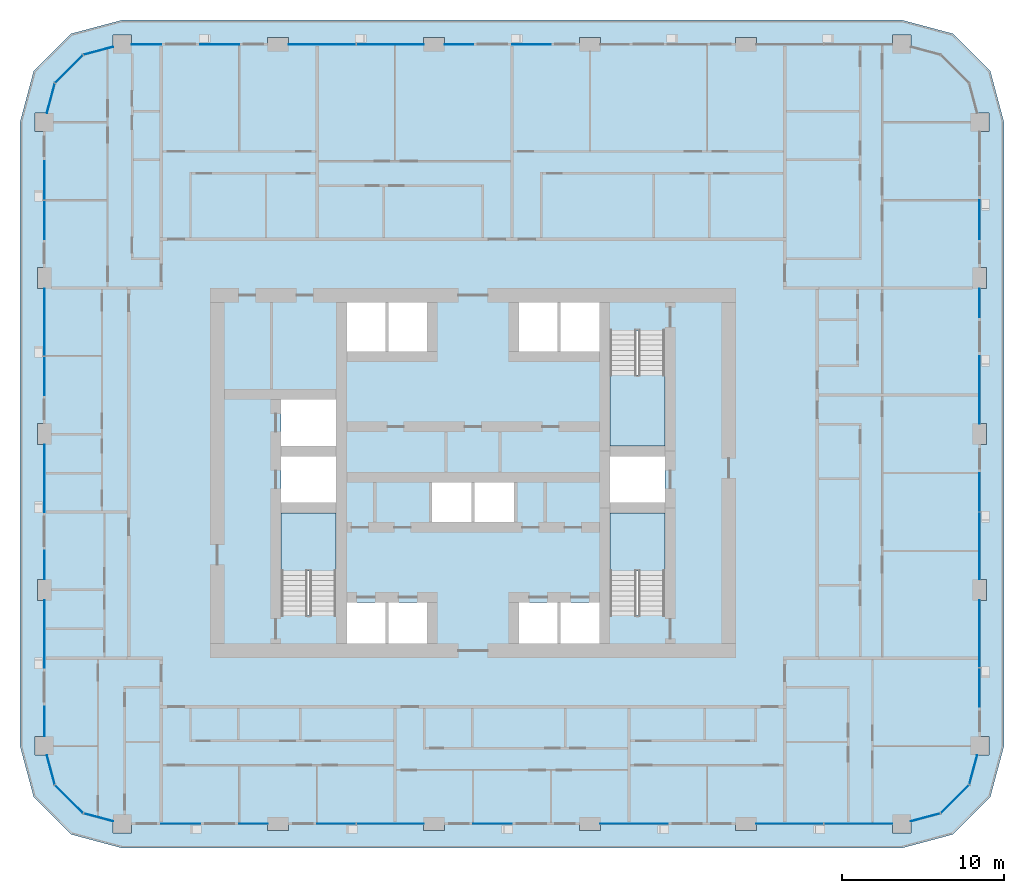
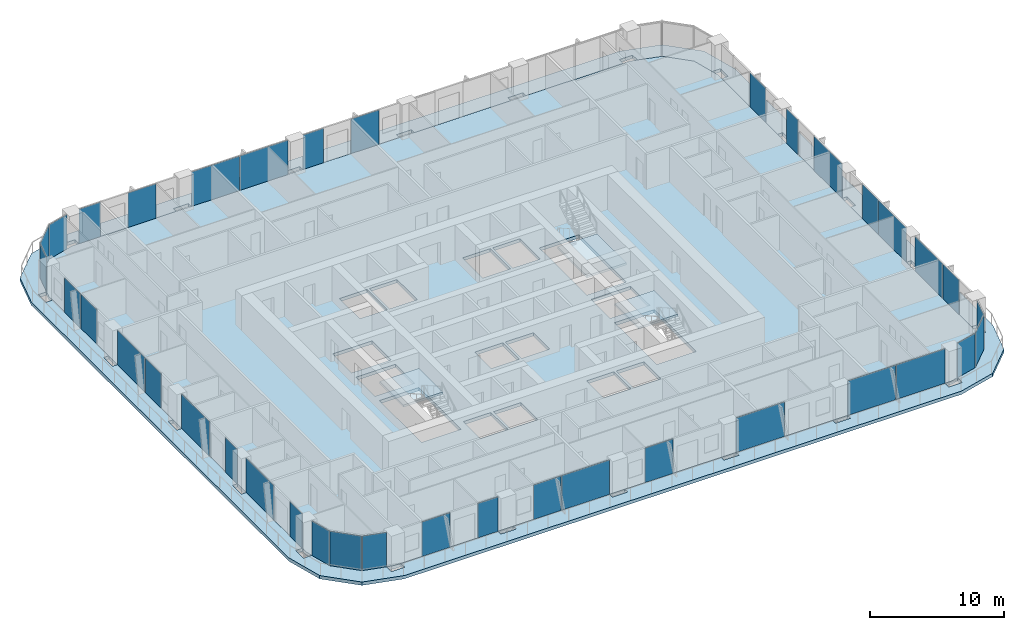
# One storey, part 7 of 22: 38 plates, 5 slabs, 22 elements without a shape of their own.
"""IFC4 building model written with IfcOpenShell, lengths in metres."""

import ifcopenshell
import ifcopenshell.guid

model = None  # the IFC model being written
_history = None  # IfcOwnerHistory: only IFC2X3 demands one
_inside = {}  # id of a spatial element -> (the spatial element, [elements in it])
_under = {}  # id of a project, library or spatial element -> (it, [spatial elements below it])
_declared = {}  # id of a project -> (the project, [libraries it declares])
_typed = {}  # id of a type object -> (the type object, [elements of that type])
_made_of = {}  # id of a material, layer set ... -> (it, [elements and type objects made of it])


def new_model(schema):
    """Start an empty IFC model of exactly this schema.

    Asked for "IFC4X3", IfcOpenShell would pick the latest addendum, in which some entities
    have other attributes; the version numbers below select the first issue.
    IFC2X3 requires an IfcOwnerHistory on every rooted entity: one is made here for all.
    """
    global model, _history
    if schema == "IFC4X3":
        model = ifcopenshell.file(schema_version=(4, 3, 0, 0))
    else:
        model = ifcopenshell.file(schema=schema)
    _inside.clear()
    _under.clear()
    _declared.clear()
    _typed.clear()
    _made_of.clear()
    _history = None
    if model.schema == "IFC2X3":
        org = make("IfcOrganization", Name="unknown")
        user = make(
            "IfcPersonAndOrganization",
            ThePerson=make("IfcPerson", FamilyName="unknown"),
            TheOrganization=org,
        )
        app = make(
            "IfcApplication",
            ApplicationDeveloper=org,
            Version="unknown",
            ApplicationFullName="unknown",
            ApplicationIdentifier="unknown",
        )
        _history = make(
            "IfcOwnerHistory",
            OwningUser=user,
            OwningApplication=app,
            ChangeAction="ADDED",
            CreationDate=0,
        )
    return model


def make(cls, **values):
    """One entity of the class cls with the attributes given. An attribute that is None is left unset."""
    return model.create_entity(
        cls, **{name: value for name, value in values.items() if value is not None}
    )


def rooted(cls, **values):
    """An entity with a GlobalId (a new one), such as an element, a storey or a relation."""
    return make(cls, GlobalId=ifcopenshell.guid.new(), OwnerHistory=_history, **values)


def si_unit(unit_type, name, prefix=None):
    """IfcSIUnit, for example si_unit("LENGTHUNIT", "METRE", prefix="MILLI")."""
    return make("IfcSIUnit", UnitType=unit_type, Prefix=prefix, Name=name)


def assignment(units):
    """IfcUnitAssignment: the units of a project."""
    return None if units is None else make("IfcUnitAssignment", Units=units)


def point(xyz):
    """IfcCartesianPoint."""
    return None if xyz is None else make("IfcCartesianPoint", Coordinates=xyz)


def direction(xyz):
    """IfcDirection."""
    return None if xyz is None else make("IfcDirection", DirectionRatios=xyz)


def frame(location, z_axis=None, x_axis=None):
    """IfcAxis2Placement3D, a coordinate frame: its origin and axes. An axis left out is left unset."""
    return make(
        "IfcAxis2Placement3D",
        Location=point(location),
        Axis=direction(z_axis),
        RefDirection=direction(x_axis),
    )


def frame_2d(location, x_axis=None):
    """IfcAxis2Placement2D, a coordinate frame in the plane: its origin and x axis."""
    return make(
        "IfcAxis2Placement2D", Location=point(location), RefDirection=direction(x_axis)
    )


def origin():
    """The frame at (0, 0, 0) with its axes left unset."""
    return frame((0.0, 0.0, 0.0))


def origin_2d():
    """The frame at (0, 0) in the plane with its x axis left unset."""
    return frame_2d((0.0, 0.0))


def place(relative_to, where):
    """IfcLocalPlacement: puts the frame where relative to a parent placement (None: the world)."""
    return make(
        "IfcLocalPlacement", PlacementRelTo=relative_to, RelativePlacement=where
    )


def context(
    kind, dimensions, precision=None, world=None, true_north=None, identifier=None
):
    """IfcGeometricRepresentationContext, for example the 3D "Model" context."""
    return make(
        "IfcGeometricRepresentationContext",
        ContextIdentifier=identifier,
        ContextType=kind,
        CoordinateSpaceDimension=dimensions,
        Precision=precision,
        WorldCoordinateSystem=world,
        TrueNorth=true_north,
    )


def subcontext(parent, identifier, kind, view, scale=None):
    """IfcGeometricRepresentationSubContext, for example "Body" below "Model"."""
    return make(
        "IfcGeometricRepresentationSubContext",
        ContextIdentifier=identifier,
        ContextType=kind,
        ParentContext=parent,
        TargetScale=scale,
        TargetView=view,
    )


def project(units=None, contexts=None):
    """IfcProject with its units and contexts."""
    return rooted(
        "IfcProject",
        Name="project",
        RepresentationContexts=contexts,
        UnitsInContext=assignment(units),
    )


def spatial(cls, under=None, at=None, **own):
    """A site, building, storey or space (cls), placed at a placement, below another one or the project."""
    s = rooted(cls, ObjectPlacement=at, **own)
    if under is not None:
        _under.setdefault(under.id(), (under, []))[1].append(s)
    return s


def polyline(points):
    """IfcPolyline through the points."""
    return make("IfcPolyline", Points=[point(p) for p in points])


def profile(cls, at=None, kind="AREA", **sizes):
    """A parametric profile (cls). Its sizes go by their IFC names, for example OverallWidth=200.0."""
    return make(cls, ProfileType=kind, Position=at, **sizes)


def rectangle(**sizes):
    """IfcRectangleProfileDef."""
    return profile("IfcRectangleProfileDef", **sizes)


def outline(outer, holes=None, kind="AREA"):
    """IfcArbitraryClosedProfileDef: a profile drawn as a closed curve; with holes, ...WithVoids."""
    if holes is None:
        return make("IfcArbitraryClosedProfileDef", ProfileType=kind, OuterCurve=outer)
    return make(
        "IfcArbitraryProfileDefWithVoids",
        ProfileType=kind,
        OuterCurve=outer,
        InnerCurves=holes,
    )


def extrude(swept, where, along, depth):
    """IfcExtrudedAreaSolid: the profile swept, set in the frame where, extruded along a direction by depth."""
    return make(
        "IfcExtrudedAreaSolid",
        SweptArea=swept,
        Position=where,
        ExtrudedDirection=direction(along),
        Depth=depth,
    )


def shape(context_of_items, identifier, shape_type, items):
    """IfcShapeRepresentation: the items that make up one representation, for example the "Body"."""
    return make(
        "IfcShapeRepresentation",
        ContextOfItems=context_of_items,
        RepresentationIdentifier=identifier,
        RepresentationType=shape_type,
        Items=items,
    )


def material(Name=None, Category=None):
    """IfcMaterial."""
    return make("IfcMaterial", Name=Name, Category=Category)


def layer(
    of_material, thickness, ventilated=None, Name=None, Category=None, Priority=None
):
    """IfcMaterialLayer: one layer of a wall or slab, of a material (None: an air gap)."""
    return make(
        "IfcMaterialLayer",
        Material=of_material,
        LayerThickness=thickness,
        IsVentilated=ventilated,
        Name=Name,
        Category=Category,
        Priority=Priority,
    )


def layer_set(layers, Name=None):
    """IfcMaterialLayerSet."""
    return make("IfcMaterialLayerSet", MaterialLayers=layers, LayerSetName=Name)


def made_of(thing, what):
    """Note that an element or type object is made of a material, layer set ...; save() writes the relation."""
    if what is not None:
        _made_of.setdefault(what.id(), (what, []))[1].append(thing)
    return thing


def type_object(cls, material=None, **own):
    """A type object (cls), such as IfcWallType, which elements share."""
    return made_of(rooted(cls, **own), material)


def element(
    cls,
    number,
    at=None,
    inside=None,
    cuts=None,
    type_object=None,
    material=None,
    context=None,
    identifier="Body",
    shape_type=None,
    held_by="IfcProductDefinitionShape",
    body=None,
    shapes=None,
    **own,
):
    """One element of the class cls, such as IfcWall. Its Tag is "e" and its number.

    at: its placement. inside: the storey or other place that contains it. cuts: it is an
    opening in that element (IfcRelVoidsElement). A single representation is given by context,
    identifier, shape_type and body (its items); several are given by shapes. held_by: the class
    of the entity that holds the representations. save() writes the other relations.
    """
    e = rooted(cls, Tag="e%d" % number, ObjectPlacement=at, **own)
    if body is not None:
        shapes = [shape(context, identifier, shape_type, body)]
    if shapes is not None:
        e.Representation = make(held_by, Representations=shapes)
    if inside is not None:
        _inside.setdefault(inside.id(), (inside, []))[1].append(e)
    if cuts is not None:
        rooted(
            "IfcRelVoidsElement", RelatingBuildingElement=cuts, RelatedOpeningElement=e
        )
    if type_object is not None:
        _typed.setdefault(type_object.id(), (type_object, []))[1].append(e)
    return made_of(e, material)


def aggregate(whole, parts):
    """IfcRelAggregates: a whole, such as a stair, and the parts it consists of."""
    return rooted("IfcRelAggregates", RelatingObject=whole, RelatedObjects=parts)


def save(model, path):
    """Write the relations noted so far, then the file.

    IfcRelAggregates (storeys below a building ...), IfcRelContainedInSpatialStructure (elements
    in a storey), IfcRelDefinesByType, IfcRelAssociatesMaterial and IfcRelDeclares: one each for
    every whole, place, type object, material and project.
    """
    for whole, parts in _under.values():
        aggregate(whole, parts)
    for where, things in _inside.values():
        rooted(
            "IfcRelContainedInSpatialStructure",
            RelatedElements=things,
            RelatingStructure=where,
        )
    for kind, things in _typed.values():
        rooted("IfcRelDefinesByType", RelatedObjects=things, RelatingType=kind)
    for what, things in _made_of.values():
        rooted("IfcRelAssociatesMaterial", RelatedObjects=things, RelatingMaterial=what)
    for by, libraries in _declared.values():
        rooted("IfcRelDeclares", RelatingContext=by, RelatedDefinitions=libraries)
    model.write(path)


model = new_model("IFC4")

# Units and contexts
model_context = context("Model", 3, precision=1e-05, world=origin(), true_north=direction((0.0, 1.0)))
body_context = subcontext(model_context, "Body", "Model", "MODEL_VIEW")
ifc_project = project(units=[si_unit("LENGTHUNIT", "METRE"), si_unit("AREAUNIT", "SQUARE_METRE"), si_unit("VOLUMEUNIT", "CUBIC_METRE"), si_unit("PLANEANGLEUNIT", "RADIAN"), si_unit("MASSUNIT", "GRAM", prefix="KILO")], contexts=[model_context])

# Site, building, storey
site_placement = place(None, origin())
site = spatial("IfcSite", under=ifc_project, at=site_placement, CompositionType="ELEMENT")
building_placement = place(site_placement, origin())
building = spatial("IfcBuilding", under=site, at=building_placement, Name="Madar Terraces", CompositionType="ELEMENT")
storey_placement = place(building_placement, frame((0.0, 0.0, 99.699951171875)))
storey = spatial("IfcBuildingStorey", under=building, at=storey_placement, Name="L25", CompositionType="ELEMENT", Elevation=99.699951171875)

# Slabs
ifc_material_1 = material(Name="Concrete C50/60", Category="concrete")
ifc_layer_1 = layer(ifc_material_1, 0.300048828125)
ifc_layer_set_1 = layer_set([ifc_layer_1], Name="Balcony band 300")
slab_type_1 = type_object("IfcSlabType", Name="Balcony band 300", PredefinedType="FLOOR", material=ifc_layer_set_1)
slab_1_placement = place(storey_placement, frame((0.0, 0.0, -0.300048828125)))
element("IfcSlab", 1, at=slab_1_placement, inside=storey, type_object=slab_type_1, Name="Balcony band", PredefinedType="FLOOR", context=body_context, shape_type="SweptSolid", body=[
    extrude(outline(polyline([(9.60009765625, 3.300048828125), (6.449951171875, 4.14404296875), (4.14404296875, 6.449951171875), (3.300048828125, 9.60009765625), (3.300048828125, 48.0), (4.14404296875, 51.14990234375), (6.449951171875, 53.4560546875), (9.60009765625, 54.300048828125), (57.60009765625, 54.300048828125), (60.75, 53.4560546875), (63.055908203125, 51.14990234375), (63.89990234375, 48.0), (63.89990234375, 9.60009765625), (63.055908203125, 6.449951171875), (60.75, 4.14404296875), (57.60009765625, 3.300048828125), (9.60009765625, 3.300048828125)]), holes=[polyline([(10.175048828125, 4.22509765625), (10.175048828125, 4.800048828125), (18.550048828125, 4.800048828125), (18.550048828125, 4.375), (19.85009765625, 4.375), (19.85009765625, 4.800048828125), (28.14990234375, 4.800048828125), (28.14990234375, 4.375), (29.449951171875, 4.375), (29.449951171875, 4.800048828125), (37.75, 4.800048828125), (37.75, 4.375), (39.050048828125, 4.375), (39.050048828125, 4.800048828125), (47.35009765625, 4.800048828125), (47.35009765625, 4.375), (48.64990234375, 4.375), (48.64990234375, 4.800048828125), (57.02490234375, 4.800048828125), (57.02490234375, 4.22509765625), (58.175048828125, 4.22509765625), (58.175048828125, 4.9541015625), (60.0, 5.443115234375), (61.7568359375, 7.199951171875), (62.245849609375, 9.02490234375), (62.97509765625, 9.02490234375), (62.97509765625, 10.175048828125), (62.39990234375, 10.175048828125), (62.39990234375, 18.550048828125), (62.824951171875, 18.550048828125), (62.824951171875, 19.85009765625), (62.39990234375, 19.85009765625), (62.39990234375, 28.14990234375), (62.824951171875, 28.14990234375), (62.824951171875, 29.449951171875), (62.39990234375, 29.449951171875), (62.39990234375, 37.75), (62.824951171875, 37.75), (62.824951171875, 39.050048828125), (62.39990234375, 39.050048828125), (62.39990234375, 47.425048828125), (62.97509765625, 47.425048828125), (62.97509765625, 48.574951171875), (62.245849609375, 48.574951171875), (61.7568359375, 50.39990234375), (60.0, 52.156982421875), (58.175048828125, 52.64599609375), (58.175048828125, 53.375), (57.02490234375, 53.375), (57.02490234375, 52.800048828125), (48.64990234375, 52.800048828125), (48.64990234375, 53.22509765625), (47.35009765625, 53.22509765625), (47.35009765625, 52.800048828125), (39.050048828125, 52.800048828125), (39.050048828125, 53.22509765625), (37.75, 53.22509765625), (37.75, 52.800048828125), (29.449951171875, 52.800048828125), (29.449951171875, 53.22509765625), (28.14990234375, 53.22509765625), (28.14990234375, 52.800048828125), (19.85009765625, 52.800048828125), (19.85009765625, 53.22509765625), (18.550048828125, 53.22509765625), (18.550048828125, 52.800048828125), (10.175048828125, 52.800048828125), (10.175048828125, 53.375), (9.02490234375, 53.375), (9.02490234375, 52.64599609375), (7.199951171875, 52.156982421875), (5.443115234375, 50.39990234375), (4.9541015625, 48.574951171875), (4.22509765625, 48.574951171875), (4.22509765625, 47.425048828125), (4.800048828125, 47.425048828125), (4.800048828125, 39.050048828125), (4.375, 39.050048828125), (4.375, 37.75), (4.800048828125, 37.75), (4.800048828125, 29.449951171875), (4.375, 29.449951171875), (4.375, 28.14990234375), (4.800048828125, 28.14990234375), (4.800048828125, 19.85009765625), (4.375, 19.85009765625), (4.375, 18.550048828125), (4.800048828125, 18.550048828125), (4.800048828125, 10.175048828125), (4.22509765625, 10.175048828125), (4.22509765625, 9.02490234375), (4.9541015625, 9.02490234375), (5.443115234375, 7.199951171875), (7.199951171875, 5.443115234375), (9.02490234375, 4.9541015625), (9.02490234375, 4.22509765625), (10.175048828125, 4.22509765625)])]), origin(), (0.0, 0.0, 1.0), 0.300048828125),
])
ifc_material_2 = material(Name="Concrete C50/60", Category="concrete")
ifc_layer_2 = layer(ifc_material_2, 0.300048828125)
ifc_layer_set_2 = layer_set([ifc_layer_2], Name="FS2 PT flat slab 300")
slab_type_2 = type_object("IfcSlabType", Name="FS2 PT flat slab 300", PredefinedType="FLOOR", material=ifc_layer_set_2)
slab_2_placement = place(storey_placement, frame((0.0, 0.0, -0.300048828125)))
element("IfcSlab", 2, at=slab_2_placement, inside=storey, type_object=slab_type_2, Name="Floor slab L25 (1)", PredefinedType="FLOOR", context=body_context, shape_type="SweptSolid", body=[
    extrude(outline(polyline([(57.60009765625, 4.800048828125), (60.0, 5.443115234375), (61.7568359375, 7.199951171875), (62.39990234375, 9.60009765625), (62.39990234375, 48.0), (61.7568359375, 50.39990234375), (60.0, 52.156982421875), (57.60009765625, 52.800048828125), (9.60009765625, 52.800048828125), (7.199951171875, 52.156982421875), (5.443115234375, 50.39990234375), (4.800048828125, 48.0), (4.800048828125, 9.60009765625), (5.443115234375, 7.199951171875), (7.199951171875, 5.443115234375), (9.60009765625, 4.800048828125), (57.60009765625, 4.800048828125)]), holes=[polyline([(23.425048828125, 15.89990234375), (23.425048828125, 18.425048828125), (25.800048828125, 18.425048828125), (25.800048828125, 15.89990234375), (23.425048828125, 15.89990234375)]), polyline([(26.0, 15.89990234375), (26.0, 18.425048828125), (28.375, 18.425048828125), (28.375, 15.89990234375), (26.0, 15.89990234375)]), polyline([(19.375, 17.64990234375), (19.375, 23.925048828125), (22.77490234375, 23.925048828125), (22.77490234375, 17.64990234375), (19.375, 17.64990234375)]), polyline([(28.675048828125, 23.375), (28.675048828125, 25.824951171875), (31.10009765625, 25.824951171875), (31.10009765625, 23.375), (28.675048828125, 23.375)]), polyline([(19.375, 24.574951171875), (19.375, 27.425048828125), (22.77490234375, 27.425048828125), (22.77490234375, 24.574951171875), (19.375, 24.574951171875)]), polyline([(19.375, 28.074951171875), (19.375, 30.925048828125), (22.77490234375, 30.925048828125), (22.77490234375, 28.074951171875), (19.375, 28.074951171875)]), polyline([(23.425048828125, 33.875), (23.425048828125, 36.89990234375), (25.800048828125, 36.89990234375), (25.800048828125, 33.875), (23.425048828125, 33.875)]), polyline([(26.0, 33.875), (26.0, 36.89990234375), (28.375, 36.89990234375), (28.375, 33.875), (26.0, 33.875)]), polyline([(34.02490234375, 15.89990234375), (34.02490234375, 18.425048828125), (36.39990234375, 18.425048828125), (36.39990234375, 15.89990234375), (34.02490234375, 15.89990234375)]), polyline([(36.60009765625, 15.89990234375), (36.60009765625, 18.425048828125), (38.97509765625, 18.425048828125), (38.97509765625, 15.89990234375), (36.60009765625, 15.89990234375)]), polyline([(39.625, 17.64990234375), (39.625, 23.925048828125), (43.02490234375, 23.925048828125), (43.02490234375, 17.64990234375), (39.625, 17.64990234375)]), polyline([(31.300048828125, 23.375), (31.300048828125, 25.824951171875), (33.72509765625, 25.824951171875), (33.72509765625, 23.375), (31.300048828125, 23.375)]), polyline([(39.625, 24.574951171875), (39.625, 27.425048828125), (43.02490234375, 27.425048828125), (43.02490234375, 24.574951171875), (39.625, 24.574951171875)]), polyline([(39.625, 28.074951171875), (39.625, 35.14990234375), (43.02490234375, 35.14990234375), (43.02490234375, 28.074951171875), (39.625, 28.074951171875)]), polyline([(34.02490234375, 33.875), (34.02490234375, 36.89990234375), (36.39990234375, 36.89990234375), (36.39990234375, 33.875), (34.02490234375, 33.875)]), polyline([(36.60009765625, 33.875), (36.60009765625, 36.89990234375), (38.97509765625, 36.89990234375), (38.97509765625, 33.875), (36.60009765625, 33.875)])]), origin(), (0.0, 0.0, 1.0), 0.300048828125),
])

# Curtain wall, plates
ifc_material_3 = material(Name="Glass, ceramic frit dark grey, with black aluminium frame", Category="aluminium")
ifc_layer_3 = layer(ifc_material_3, 0.199951171875)
ifc_layer_set_3 = layer_set([ifc_layer_3], Name="Facade curtain wall, fritted glass")
curtain_wall_type = type_object("IfcCurtainWallType", Name="Facade curtain wall, fritted glass", PredefinedType="NOTDEFINED", material=ifc_layer_set_3)
curtain_wall_1_placement = place(storey_placement, origin())
curtain_wall_1 = element("IfcCurtainWall", 3, at=curtain_wall_1_placement, inside=storey, type_object=curtain_wall_type, Name="Outer skin curtain wall south bay 1", PredefinedType="NOTDEFINED")
ifc_material_4 = material(Name="Glass, ceramic frit dark grey", Category="glass")
ifc_layer_4 = layer(ifc_material_4, 0.028076171875)
ifc_layer_set_4 = layer_set([ifc_layer_4], Name="Facade glass panel 28")
plate_type = type_object("IfcPlateType", Name="Facade glass panel 28", PredefinedType="CURTAIN_PANEL", material=ifc_layer_set_4)
plate_1_placement = place(storey_placement, frame((13.199951171875, 4.800048828125, 0.0), z_axis=(0.0, 0.0, 1.0), x_axis=(1.0, 0.0, 0.0)))
plate_1 = element("IfcPlate", 4, at=plate_1_placement, type_object=plate_type, Name="Panel 1", PredefinedType="CURTAIN_PANEL", context=body_context, shape_type="SweptSolid", body=[
    extrude(rectangle(XDim=2.39990234375, YDim=0.028076171875, at=origin_2d()), origin(), (0.0, 0.0, 1.0), 3.139892578125),
])
plate_2_placement = place(storey_placement, frame((17.675048828125, 4.800048828125, 0.0), z_axis=(0.0, 0.0, 1.0), x_axis=(1.0, 0.0, 0.0)))
plate_2 = element("IfcPlate", 5, at=plate_2_placement, type_object=plate_type, Name="Panel 2", PredefinedType="CURTAIN_PANEL", context=body_context, shape_type="SweptSolid", body=[
    extrude(rectangle(XDim=1.75, YDim=0.028076171875, at=origin_2d()), origin(), (0.0, 0.0, 1.0), 3.139892578125),
])
aggregate(curtain_wall_1, [plate_1, plate_2])

curtain_wall_2_placement = place(storey_placement, origin())
curtain_wall_2 = element("IfcCurtainWall", 6, at=curtain_wall_2_placement, inside=storey, type_object=curtain_wall_type, Name="Outer skin curtain wall south bay 2", PredefinedType="NOTDEFINED")
plate_3_placement = place(storey_placement, frame((22.784912109375, 4.800048828125, 0.0), z_axis=(0.0, 0.0, 1.0), x_axis=(1.0, 0.0, 0.0)))
plate_3 = element("IfcPlate", 7, at=plate_3_placement, type_object=plate_type, Name="Panel 1", PredefinedType="CURTAIN_PANEL", context=body_context, shape_type="SweptSolid", body=[
    extrude(rectangle(XDim=2.3701171875, YDim=0.028076171875, at=origin_2d()), origin(), (0.0, 0.0, 1.0), 3.139892578125),
])
plate_4_placement = place(storey_placement, frame((26.090087890625, 4.800048828125, 0.0), z_axis=(0.0, 0.0, 1.0), x_axis=(1.0, 0.0, 0.0)))
plate_4 = element("IfcPlate", 8, at=plate_4_placement, type_object=plate_type, Name="Panel 2", PredefinedType="CURTAIN_PANEL", context=body_context, shape_type="SweptSolid", body=[
    extrude(rectangle(XDim=4.1201171875, YDim=0.028076171875, at=origin_2d()), origin(), (0.0, 0.0, 1.0), 3.139892578125),
])
aggregate(curtain_wall_2, [plate_3, plate_4])

# Curtain wall, plate
curtain_wall_3_placement = place(storey_placement, origin())
curtain_wall_3 = element("IfcCurtainWall", 9, at=curtain_wall_3_placement, inside=storey, type_object=curtain_wall_type, Name="Outer skin curtain wall south bay 3", PredefinedType="NOTDEFINED")
plate_5_placement = place(storey_placement, frame((32.39990234375, 4.800048828125, 0.0), z_axis=(0.0, 0.0, 1.0), x_axis=(1.0, 0.0, 0.0)))
plate_5 = element("IfcPlate", 10, at=plate_5_placement, type_object=plate_type, Name="Panel 1", PredefinedType="CURTAIN_PANEL", context=body_context, shape_type="SweptSolid", body=[
    extrude(rectangle(XDim=2.39990234375, YDim=0.028076171875, at=origin_2d()), origin(), (0.0, 0.0, 1.0), 3.139892578125),
])
aggregate(curtain_wall_3, [plate_5])

curtain_wall_4_placement = place(storey_placement, origin())
curtain_wall_4 = element("IfcCurtainWall", 11, at=curtain_wall_4_placement, inside=storey, type_object=curtain_wall_type, Name="Outer skin curtain wall south bay 4", PredefinedType="NOTDEFINED")
plate_6_placement = place(storey_placement, frame((41.125, 4.800048828125, 0.0), z_axis=(0.0, 0.0, 1.0), x_axis=(1.0, 0.0, 0.0)))
plate_6 = element("IfcPlate", 12, at=plate_6_placement, type_object=plate_type, Name="Panel 1", PredefinedType="CURTAIN_PANEL", context=body_context, shape_type="SweptSolid", body=[
    extrude(rectangle(XDim=4.14990234375, YDim=0.028076171875, at=origin_2d()), origin(), (0.0, 0.0, 1.0), 3.139892578125),
])
aggregate(curtain_wall_4, [plate_6])

# Curtain wall, plates
curtain_wall_5_placement = place(storey_placement, origin())
curtain_wall_5 = element("IfcCurtainWall", 13, at=curtain_wall_5_placement, inside=storey, type_object=curtain_wall_type, Name="Outer skin curtain wall south bay 5", PredefinedType="NOTDEFINED")
plate_7_placement = place(storey_placement, frame((50.7099609375, 4.800048828125, 0.0), z_axis=(0.0, 0.0, 1.0), x_axis=(1.0, 0.0, 0.0)))
plate_7 = element("IfcPlate", 14, at=plate_7_placement, type_object=plate_type, Name="Panel 1", PredefinedType="CURTAIN_PANEL", context=body_context, shape_type="SweptSolid", body=[
    extrude(rectangle(XDim=4.1201171875, YDim=0.028076171875, at=origin_2d()), origin(), (0.0, 0.0, 1.0), 3.139892578125),
])
plate_8_placement = place(storey_placement, frame((54.927490234375, 4.800048828125, 0.0), z_axis=(0.0, 0.0, 1.0), x_axis=(1.0, 0.0, 0.0)))
plate_8 = element("IfcPlate", 15, at=plate_8_placement, type_object=plate_type, Name="Panel 2", PredefinedType="CURTAIN_PANEL", context=body_context, shape_type="SweptSolid", body=[
    extrude(rectangle(XDim=4.195068359375, YDim=0.028076171875, at=origin_2d()), origin(), (0.0, 0.0, 1.0), 3.139892578125),
])
aggregate(curtain_wall_5, [plate_7, plate_8])

curtain_wall_6_placement = place(storey_placement, origin())
curtain_wall_6 = element("IfcCurtainWall", 16, at=curtain_wall_6_placement, inside=storey, type_object=curtain_wall_type, Name="Outer skin curtain wall east bay 1", PredefinedType="NOTDEFINED")
plate_9_placement = place(storey_placement, frame((62.39990234375, 13.18505859375, 0.0), z_axis=(0.0, 0.0, 1.0), x_axis=(0.0, 1.0, 0.0)))
plate_9 = element("IfcPlate", 17, at=plate_9_placement, type_object=plate_type, Name="Panel 1", PredefinedType="CURTAIN_PANEL", context=body_context, shape_type="SweptSolid", body=[
    extrude(rectangle(XDim=2.3701171875, YDim=0.028076171875, at=origin_2d()), origin(), (0.0, 0.0, 1.0), 3.139892578125),
])
plate_10_placement = place(storey_placement, frame((62.39990234375, 16.489990234375, 0.0), z_axis=(0.0, 0.0, 1.0), x_axis=(0.0, 1.0, 0.0)))
plate_10 = element("IfcPlate", 18, at=plate_10_placement, type_object=plate_type, Name="Panel 2", PredefinedType="CURTAIN_PANEL", context=body_context, shape_type="SweptSolid", body=[
    extrude(rectangle(XDim=4.1201171875, YDim=0.028076171875, at=origin_2d()), origin(), (0.0, 0.0, 1.0), 3.139892578125),
])
aggregate(curtain_wall_6, [plate_9, plate_10])

curtain_wall_7_placement = place(storey_placement, origin())
curtain_wall_7 = element("IfcCurtainWall", 19, at=curtain_wall_7_placement, inside=storey, type_object=curtain_wall_type, Name="Outer skin curtain wall east bay 2", PredefinedType="NOTDEFINED")
plate_11_placement = place(storey_placement, frame((62.39990234375, 21.909912109375, 0.0), z_axis=(0.0, 0.0, 1.0), x_axis=(0.0, 1.0, 0.0)))
plate_11 = element("IfcPlate", 20, at=plate_11_placement, type_object=plate_type, Name="Panel 1", PredefinedType="CURTAIN_PANEL", context=body_context, shape_type="SweptSolid", body=[
    extrude(rectangle(XDim=4.1201171875, YDim=0.028076171875, at=origin_2d()), origin(), (0.0, 0.0, 1.0), 3.139892578125),
])
plate_12_placement = place(storey_placement, frame((62.39990234375, 25.215087890625, 0.0), z_axis=(0.0, 0.0, 1.0), x_axis=(0.0, 1.0, 0.0)))
plate_12 = element("IfcPlate", 21, at=plate_12_placement, type_object=plate_type, Name="Panel 2", PredefinedType="CURTAIN_PANEL", context=body_context, shape_type="SweptSolid", body=[
    extrude(rectangle(XDim=2.3701171875, YDim=0.028076171875, at=origin_2d()), origin(), (0.0, 0.0, 1.0), 3.139892578125),
])
aggregate(curtain_wall_7, [plate_11, plate_12])

curtain_wall_8_placement = place(storey_placement, origin())
curtain_wall_8 = element("IfcCurtainWall", 22, at=curtain_wall_8_placement, inside=storey, type_object=curtain_wall_type, Name="Outer skin curtain wall east bay 3", PredefinedType="NOTDEFINED")
plate_13_placement = place(storey_placement, frame((62.39990234375, 31.52490234375, 0.0), z_axis=(0.0, 0.0, 1.0), x_axis=(0.0, 1.0, 0.0)))
plate_13 = element("IfcPlate", 23, at=plate_13_placement, type_object=plate_type, Name="Panel 1", PredefinedType="CURTAIN_PANEL", context=body_context, shape_type="SweptSolid", body=[
    extrude(rectangle(XDim=4.14990234375, YDim=0.028076171875, at=origin_2d()), origin(), (0.0, 0.0, 1.0), 3.139892578125),
])
plate_14_placement = place(storey_placement, frame((62.39990234375, 36.875, 0.0), z_axis=(0.0, 0.0, 1.0), x_axis=(0.0, 1.0, 0.0)))
plate_14 = element("IfcPlate", 24, at=plate_14_placement, type_object=plate_type, Name="Panel 2", PredefinedType="CURTAIN_PANEL", context=body_context, shape_type="SweptSolid", body=[
    extrude(rectangle(XDim=1.75, YDim=0.028076171875, at=origin_2d()), origin(), (0.0, 0.0, 1.0), 3.139892578125),
])
aggregate(curtain_wall_8, [plate_13, plate_14])

# Curtain wall, plate
curtain_wall_9_placement = place(storey_placement, origin())
curtain_wall_9 = element("IfcCurtainWall", 25, at=curtain_wall_9_placement, inside=storey, type_object=curtain_wall_type, Name="Outer skin curtain wall east bay 4", PredefinedType="NOTDEFINED")
plate_15_placement = place(storey_placement, frame((62.39990234375, 42.0, 0.0), z_axis=(0.0, 0.0, 1.0), x_axis=(0.0, 1.0, 0.0)))
plate_15 = element("IfcPlate", 26, at=plate_15_placement, type_object=plate_type, Name="Panel 1", PredefinedType="CURTAIN_PANEL", context=body_context, shape_type="SweptSolid", body=[
    extrude(rectangle(XDim=2.39990234375, YDim=0.028076171875, at=origin_2d()), origin(), (0.0, 0.0, 1.0), 3.139892578125),
])
aggregate(curtain_wall_9, [plate_15])

# Curtain wall, plates
curtain_wall_10_placement = place(storey_placement, origin())
curtain_wall_10 = element("IfcCurtainWall", 27, at=curtain_wall_10_placement, inside=storey, type_object=curtain_wall_type, Name="Outer skin curtain wall north bay 3", PredefinedType="NOTDEFINED")
plate_16_placement = place(storey_placement, frame((34.800048828125, 52.800048828125, 0.0), z_axis=(0.0, 0.0, 1.0), x_axis=(-1.0, 0.0, 0.0)))
plate_16 = element("IfcPlate", 28, at=plate_16_placement, type_object=plate_type, Name="Panel 1", PredefinedType="CURTAIN_PANEL", context=body_context, shape_type="SweptSolid", body=[
    extrude(rectangle(XDim=2.39990234375, YDim=0.028076171875, at=origin_2d()), origin(), (0.0, 0.0, 1.0), 3.139892578125),
])
plate_17_placement = place(storey_placement, frame((30.324951171875, 52.800048828125, 0.0), z_axis=(0.0, 0.0, 1.0), x_axis=(-1.0, 0.0, 0.0)))
plate_17 = element("IfcPlate", 29, at=plate_17_placement, type_object=plate_type, Name="Panel 2", PredefinedType="CURTAIN_PANEL", context=body_context, shape_type="SweptSolid", body=[
    extrude(rectangle(XDim=1.75, YDim=0.028076171875, at=origin_2d()), origin(), (0.0, 0.0, 1.0), 3.139892578125),
])
aggregate(curtain_wall_10, [plate_16, plate_17])

curtain_wall_11_placement = place(storey_placement, origin())
curtain_wall_11 = element("IfcCurtainWall", 30, at=curtain_wall_11_placement, inside=storey, type_object=curtain_wall_type, Name="Outer skin curtain wall north bay 4", PredefinedType="NOTDEFINED")
plate_18_placement = place(storey_placement, frame((26.090087890625, 52.800048828125, 0.0), z_axis=(0.0, 0.0, 1.0), x_axis=(-1.0, 0.0, 0.0)))
plate_18 = element("IfcPlate", 31, at=plate_18_placement, type_object=plate_type, Name="Panel 1", PredefinedType="CURTAIN_PANEL", context=body_context, shape_type="SweptSolid", body=[
    extrude(rectangle(XDim=4.1201171875, YDim=0.028076171875, at=origin_2d()), origin(), (0.0, 0.0, 1.0), 3.139892578125),
])
plate_19_placement = place(storey_placement, frame((21.909912109375, 52.800048828125, 0.0), z_axis=(0.0, 0.0, 1.0), x_axis=(-1.0, 0.0, 0.0)))
plate_19 = element("IfcPlate", 32, at=plate_19_placement, type_object=plate_type, Name="Panel 2", PredefinedType="CURTAIN_PANEL", context=body_context, shape_type="SweptSolid", body=[
    extrude(rectangle(XDim=4.1201171875, YDim=0.028076171875, at=origin_2d()), origin(), (0.0, 0.0, 1.0), 3.139892578125),
])
aggregate(curtain_wall_11, [plate_18, plate_19])

curtain_wall_12_placement = place(storey_placement, origin())
curtain_wall_12 = element("IfcCurtainWall", 33, at=curtain_wall_12_placement, inside=storey, type_object=curtain_wall_type, Name="Outer skin curtain wall north bay 5", PredefinedType="NOTDEFINED")
plate_20_placement = place(storey_placement, frame((15.60009765625, 52.800048828125, 0.0), z_axis=(0.0, 0.0, 1.0), x_axis=(-1.0, 0.0, 0.0)))
plate_20 = element("IfcPlate", 34, at=plate_20_placement, type_object=plate_type, Name="Panel 1", PredefinedType="CURTAIN_PANEL", context=body_context, shape_type="SweptSolid", body=[
    extrude(rectangle(XDim=2.39990234375, YDim=0.028076171875, at=origin_2d()), origin(), (0.0, 0.0, 1.0), 3.139892578125),
])
plate_21_placement = place(storey_placement, frame((11.08740234375, 52.800048828125, 0.0), z_axis=(0.0, 0.0, 1.0), x_axis=(-1.0, 0.0, 0.0)))
plate_21 = element("IfcPlate", 35, at=plate_21_placement, type_object=plate_type, Name="Panel 2", PredefinedType="CURTAIN_PANEL", context=body_context, shape_type="SweptSolid", body=[
    extrude(rectangle(XDim=1.824951171875, YDim=0.028076171875, at=origin_2d()), origin(), (0.0, 0.0, 1.0), 3.139892578125),
])
aggregate(curtain_wall_12, [plate_20, plate_21])

curtain_wall_13_placement = place(storey_placement, origin())
curtain_wall_13 = element("IfcCurtainWall", 36, at=curtain_wall_13_placement, inside=storey, type_object=curtain_wall_type, Name="Outer skin curtain wall west bay 1", PredefinedType="NOTDEFINED")
plate_22_placement = place(storey_placement, frame((4.800048828125, 44.4150390625, 0.0), z_axis=(0.0, 0.0, 1.0), x_axis=(0.0, -1.0, 0.0)))
plate_22 = element("IfcPlate", 37, at=plate_22_placement, type_object=plate_type, Name="Panel 1", PredefinedType="CURTAIN_PANEL", context=body_context, shape_type="SweptSolid", body=[
    extrude(rectangle(XDim=2.3701171875, YDim=0.028076171875, at=origin_2d()), origin(), (0.0, 0.0, 1.0), 3.139892578125),
])
plate_23_placement = place(storey_placement, frame((4.800048828125, 41.985107421875, 0.0), z_axis=(0.0, 0.0, 1.0), x_axis=(0.0, -1.0, 0.0)))
plate_23 = element("IfcPlate", 38, at=plate_23_placement, type_object=plate_type, Name="Panel 2", PredefinedType="CURTAIN_PANEL", context=body_context, shape_type="SweptSolid", body=[
    extrude(rectangle(XDim=2.3701171875, YDim=0.028076171875, at=origin_2d()), origin(), (0.0, 0.0, 1.0), 3.139892578125),
])
aggregate(curtain_wall_13, [plate_22, plate_23])

curtain_wall_14_placement = place(storey_placement, origin())
curtain_wall_14 = element("IfcCurtainWall", 39, at=curtain_wall_14_placement, inside=storey, type_object=curtain_wall_type, Name="Outer skin curtain wall west bay 2", PredefinedType="NOTDEFINED")
plate_24_placement = place(storey_placement, frame((4.800048828125, 35.68994140625, 0.0), z_axis=(0.0, 0.0, 1.0), x_axis=(0.0, -1.0, 0.0)))
plate_24 = element("IfcPlate", 40, at=plate_24_placement, type_object=plate_type, Name="Panel 1", PredefinedType="CURTAIN_PANEL", context=body_context, shape_type="SweptSolid", body=[
    extrude(rectangle(XDim=4.1201171875, YDim=0.028076171875, at=origin_2d()), origin(), (0.0, 0.0, 1.0), 3.139892578125),
])
plate_25_placement = place(storey_placement, frame((4.800048828125, 32.385009765625, 0.0), z_axis=(0.0, 0.0, 1.0), x_axis=(0.0, -1.0, 0.0)))
plate_25 = element("IfcPlate", 41, at=plate_25_placement, type_object=plate_type, Name="Panel 2", PredefinedType="CURTAIN_PANEL", context=body_context, shape_type="SweptSolid", body=[
    extrude(rectangle(XDim=2.3701171875, YDim=0.028076171875, at=origin_2d()), origin(), (0.0, 0.0, 1.0), 3.139892578125),
])
aggregate(curtain_wall_14, [plate_24, plate_25])

curtain_wall_15_placement = place(storey_placement, origin())
curtain_wall_15 = element("IfcCurtainWall", 42, at=curtain_wall_15_placement, inside=storey, type_object=curtain_wall_type, Name="Outer skin curtain wall west bay 3", PredefinedType="NOTDEFINED")
plate_26_placement = place(storey_placement, frame((4.800048828125, 26.074951171875, 0.0), z_axis=(0.0, 0.0, 1.0), x_axis=(0.0, -1.0, 0.0)))
plate_26 = element("IfcPlate", 43, at=plate_26_placement, type_object=plate_type, Name="Panel 1", PredefinedType="CURTAIN_PANEL", context=body_context, shape_type="SweptSolid", body=[
    extrude(rectangle(XDim=4.14990234375, YDim=0.028076171875, at=origin_2d()), origin(), (0.0, 0.0, 1.0), 3.139892578125),
])
plate_27_placement = place(storey_placement, frame((4.800048828125, 20.72509765625, 0.0), z_axis=(0.0, 0.0, 1.0), x_axis=(0.0, -1.0, 0.0)))
plate_27 = element("IfcPlate", 44, at=plate_27_placement, type_object=plate_type, Name="Panel 2", PredefinedType="CURTAIN_PANEL", context=body_context, shape_type="SweptSolid", body=[
    extrude(rectangle(XDim=1.75, YDim=0.028076171875, at=origin_2d()), origin(), (0.0, 0.0, 1.0), 3.139892578125),
])
aggregate(curtain_wall_15, [plate_26, plate_27])

curtain_wall_16_placement = place(storey_placement, origin())
curtain_wall_16 = element("IfcCurtainWall", 45, at=curtain_wall_16_placement, inside=storey, type_object=curtain_wall_type, Name="Outer skin curtain wall west bay 4", PredefinedType="NOTDEFINED")
plate_28_placement = place(storey_placement, frame((4.800048828125, 16.47509765625, 0.0), z_axis=(0.0, 0.0, 1.0), x_axis=(0.0, -1.0, 0.0)))
plate_28 = element("IfcPlate", 46, at=plate_28_placement, type_object=plate_type, Name="Panel 1", PredefinedType="CURTAIN_PANEL", context=body_context, shape_type="SweptSolid", body=[
    extrude(rectangle(XDim=4.14990234375, YDim=0.028076171875, at=origin_2d()), origin(), (0.0, 0.0, 1.0), 3.139892578125),
])
plate_29_placement = place(storey_placement, frame((4.800048828125, 11.08740234375, 0.0), z_axis=(0.0, 0.0, 1.0), x_axis=(0.0, -1.0, 0.0)))
plate_29 = element("IfcPlate", 47, at=plate_29_placement, type_object=plate_type, Name="Panel 2", PredefinedType="CURTAIN_PANEL", context=body_context, shape_type="SweptSolid", body=[
    extrude(rectangle(XDim=1.824951171875, YDim=0.028076171875, at=origin_2d()), origin(), (0.0, 0.0, 1.0), 3.139892578125),
])
aggregate(curtain_wall_16, [plate_28, plate_29])

curtain_wall_17_placement = place(storey_placement, origin())
curtain_wall_17 = element("IfcCurtainWall", 48, at=curtain_wall_17_placement, inside=storey, type_object=curtain_wall_type, Name="Outer skin curtain wall south-east corner", PredefinedType="NOTDEFINED")
plate_30_placement = place(storey_placement, frame((59.072998046875, 5.194580078125, 0.0), z_axis=(0.0, 0.0, 1.0), x_axis=(0.965925832509, 0.258819021888, 0.0)))
plate_30 = element("IfcPlate", 49, at=plate_30_placement, type_object=plate_type, Name="Panel 1", PredefinedType="CURTAIN_PANEL", context=body_context, shape_type="SweptSolid", body=[
    extrude(rectangle(XDim=1.859375, YDim=0.028076171875, at=origin_2d()), origin(), (0.0, 0.0, 1.0), 3.139892578125),
])
plate_31_placement = place(storey_placement, frame((60.87841796875, 6.321533203125, 0.0), z_axis=(0.0, 0.0, 1.0), x_axis=(0.707106781187, 0.707106781187, 0.0)))
plate_31 = element("IfcPlate", 50, at=plate_31_placement, type_object=plate_type, Name="Panel 2", PredefinedType="CURTAIN_PANEL", context=body_context, shape_type="SweptSolid", body=[
    extrude(rectangle(XDim=2.424560546875, YDim=0.028076171875, at=origin_2d()), origin(), (0.0, 0.0, 1.0), 3.139892578125),
])
plate_32_placement = place(storey_placement, frame((62.00537109375, 8.126953125, 0.0), z_axis=(0.0, 0.0, 1.0), x_axis=(0.258819021888, 0.965925832509, 0.0)))
plate_32 = element("IfcPlate", 51, at=plate_32_placement, type_object=plate_type, Name="Panel 3", PredefinedType="CURTAIN_PANEL", context=body_context, shape_type="SweptSolid", body=[
    extrude(rectangle(XDim=1.859375, YDim=0.028076171875, at=origin_2d()), origin(), (0.0, 0.0, 1.0), 3.139892578125),
])
aggregate(curtain_wall_17, [plate_30, plate_31, plate_32])

curtain_wall_18_placement = place(storey_placement, origin())
curtain_wall_18 = element("IfcCurtainWall", 52, at=curtain_wall_18_placement, inside=storey, type_object=curtain_wall_type, Name="Outer skin curtain wall north-west corner", PredefinedType="NOTDEFINED")
plate_33_placement = place(storey_placement, frame((8.126953125, 52.4052734375, 0.0), z_axis=(0.0, 0.0, 1.0), x_axis=(-0.965925832509, -0.258819021888, 0.0)))
plate_33 = element("IfcPlate", 53, at=plate_33_placement, type_object=plate_type, Name="Panel 1", PredefinedType="CURTAIN_PANEL", context=body_context, shape_type="SweptSolid", body=[
    extrude(rectangle(XDim=1.859375, YDim=0.028076171875, at=origin_2d()), origin(), (0.0, 0.0, 1.0), 3.139892578125),
])
plate_34_placement = place(storey_placement, frame((6.321533203125, 51.278564453125, 0.0), z_axis=(0.0, 0.0, 1.0), x_axis=(-0.707106781187, -0.707106781187, 0.0)))
plate_34 = element("IfcPlate", 54, at=plate_34_placement, type_object=plate_type, Name="Panel 2", PredefinedType="CURTAIN_PANEL", context=body_context, shape_type="SweptSolid", body=[
    extrude(rectangle(XDim=2.424560546875, YDim=0.028076171875, at=origin_2d()), origin(), (0.0, 0.0, 1.0), 3.139892578125),
])
plate_35_placement = place(storey_placement, frame((5.194580078125, 49.472900390625, 0.0), z_axis=(0.0, 0.0, 1.0), x_axis=(-0.258819021888, -0.965925832509, 0.0)))
plate_35 = element("IfcPlate", 55, at=plate_35_placement, type_object=plate_type, Name="Panel 3", PredefinedType="CURTAIN_PANEL", context=body_context, shape_type="SweptSolid", body=[
    extrude(rectangle(XDim=1.859375, YDim=0.028076171875, at=origin_2d()), origin(), (0.0, 0.0, 1.0), 3.139892578125),
])
aggregate(curtain_wall_18, [plate_33, plate_34, plate_35])

curtain_wall_19_placement = place(storey_placement, origin())
curtain_wall_19 = element("IfcCurtainWall", 56, at=curtain_wall_19_placement, inside=storey, type_object=curtain_wall_type, Name="Outer skin curtain wall south-west corner", PredefinedType="NOTDEFINED")
plate_36_placement = place(storey_placement, frame((5.194580078125, 8.126953125, 0.0), z_axis=(0.0, 0.0, 1.0), x_axis=(0.258819021888, -0.965925832509, 0.0)))
plate_36 = element("IfcPlate", 57, at=plate_36_placement, type_object=plate_type, Name="Panel 1", PredefinedType="CURTAIN_PANEL", context=body_context, shape_type="SweptSolid", body=[
    extrude(rectangle(XDim=1.859375, YDim=0.028076171875, at=origin_2d()), origin(), (0.0, 0.0, 1.0), 3.139892578125),
])
plate_37_placement = place(storey_placement, frame((6.321533203125, 6.321533203125, 0.0), z_axis=(0.0, 0.0, 1.0), x_axis=(0.707106781187, -0.707106781187, 0.0)))
plate_37 = element("IfcPlate", 58, at=plate_37_placement, type_object=plate_type, Name="Panel 2", PredefinedType="CURTAIN_PANEL", context=body_context, shape_type="SweptSolid", body=[
    extrude(rectangle(XDim=2.424560546875, YDim=0.028076171875, at=origin_2d()), origin(), (0.0, 0.0, 1.0), 3.139892578125),
])
plate_38_placement = place(storey_placement, frame((8.126953125, 5.194580078125, 0.0), z_axis=(0.0, 0.0, 1.0), x_axis=(0.965925832509, -0.258819021888, 0.0)))
plate_38 = element("IfcPlate", 59, at=plate_38_placement, type_object=plate_type, Name="Panel 3", PredefinedType="CURTAIN_PANEL", context=body_context, shape_type="SweptSolid", body=[
    extrude(rectangle(XDim=1.859375, YDim=0.028076171875, at=origin_2d()), origin(), (0.0, 0.0, 1.0), 3.139892578125),
])
aggregate(curtain_wall_19, [plate_36, plate_37, plate_38])

# Stair, slab
ifc_material_5 = material(Name="Concrete C50/60", Category="concrete")
stair_type_1 = type_object("IfcStairType", Name="Stair ST1 protected exit", PredefinedType="HALF_TURN_STAIR", material=ifc_material_5)
stair_1_placement = place(storey_placement, origin())
stair_1 = element("IfcStair", 60, at=stair_1_placement, inside=storey, type_object=stair_type_1, Name="L25 Protected Exit Stair ST1", PredefinedType="HALF_TURN_STAIR")
ifc_material_6 = material(Name="Concrete C50/60", Category="concrete")
ifc_layer_5 = layer(ifc_material_6, 0.199951171875)
ifc_layer_set_5 = layer_set([ifc_layer_5], Name="Stair landing 200, top +1.75")
slab_type_3 = type_object("IfcSlabType", Name="Stair landing 200, top +1.75", PredefinedType="LANDING", material=ifc_layer_set_5)
slab_3_placement = place(storey_placement, frame((0.0, 0.0, 1.550048828125)))
slab_3 = element("IfcSlab", 61, at=slab_3_placement, type_object=slab_type_3, Name="ST1 landing 1", PredefinedType="LANDING", context=body_context, shape_type="SweptSolid", body=[
    extrude(outline(polyline([(19.375, 20.360107421875), (22.77490234375, 20.360107421875), (22.77490234375, 23.925048828125), (19.375, 23.925048828125), (19.375, 20.360107421875)])), origin(), (0.0, 0.0, 1.0), 0.199951171875),
])
aggregate(stair_1, [slab_3])

ifc_material_7 = material(Name="Concrete C50/60", Category="concrete")
stair_type_2 = type_object("IfcStairType", Name="Stair ST2 protected exit", PredefinedType="HALF_TURN_STAIR", material=ifc_material_7)
stair_2_placement = place(storey_placement, origin())
stair_2 = element("IfcStair", 62, at=stair_2_placement, inside=storey, type_object=stair_type_2, Name="L25 Protected Exit Stair ST2", PredefinedType="HALF_TURN_STAIR")
slab_4_placement = place(storey_placement, frame((0.0, 0.0, 1.550048828125)))
slab_4 = element("IfcSlab", 63, at=slab_4_placement, type_object=slab_type_3, Name="ST2 landing 1", PredefinedType="LANDING", context=body_context, shape_type="SweptSolid", body=[
    extrude(outline(polyline([(39.625, 28.074951171875), (43.02490234375, 28.074951171875), (43.02490234375, 32.43994140625), (39.625, 32.43994140625), (39.625, 28.074951171875)])), origin(), (0.0, 0.0, 1.0), 0.199951171875),
])
aggregate(stair_2, [slab_4])

ifc_material_8 = material(Name="Concrete C50/60", Category="concrete")
stair_type_3 = type_object("IfcStairType", Name="Stair ST3 protected exit", PredefinedType="HALF_TURN_STAIR", material=ifc_material_8)
stair_3_placement = place(storey_placement, origin())
stair_3 = element("IfcStair", 64, at=stair_3_placement, inside=storey, type_object=stair_type_3, Name="L25 Protected Exit Stair ST3", PredefinedType="HALF_TURN_STAIR")
slab_5_placement = place(storey_placement, frame((0.0, 0.0, 1.550048828125)))
slab_5 = element("IfcSlab", 65, at=slab_5_placement, type_object=slab_type_3, Name="ST3 landing 1", PredefinedType="LANDING", context=body_context, shape_type="SweptSolid", body=[
    extrude(outline(polyline([(39.625, 20.360107421875), (43.02490234375, 20.360107421875), (43.02490234375, 23.925048828125), (39.625, 23.925048828125), (39.625, 20.360107421875)])), origin(), (0.0, 0.0, 1.0), 0.199951171875),
])
aggregate(stair_3, [slab_5])

save(model, "model.ifc")
